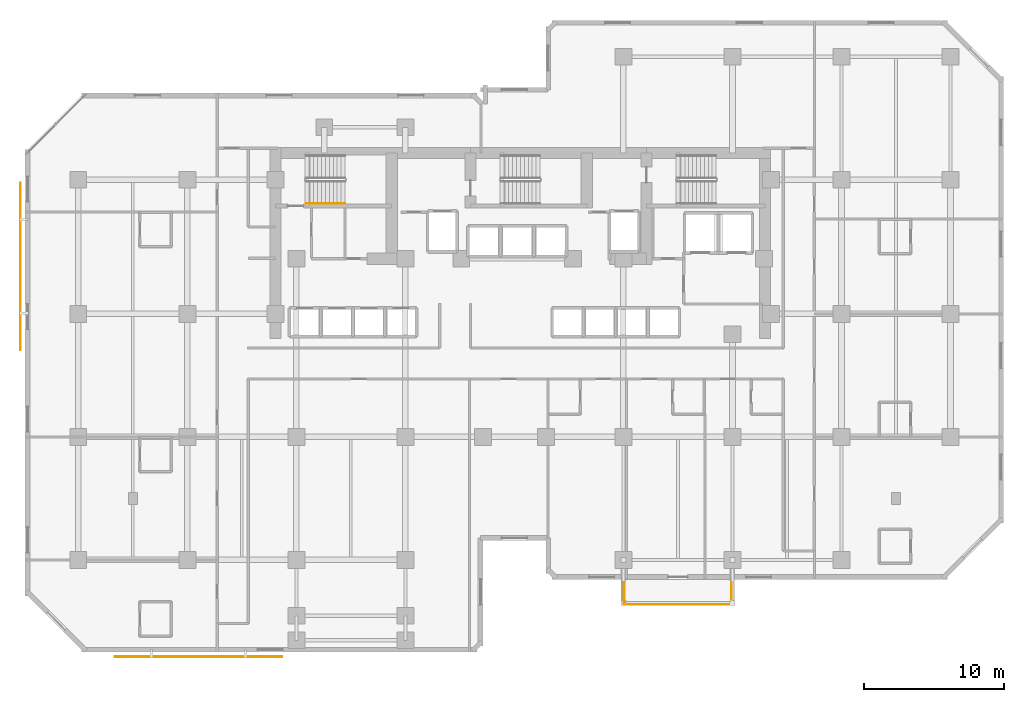
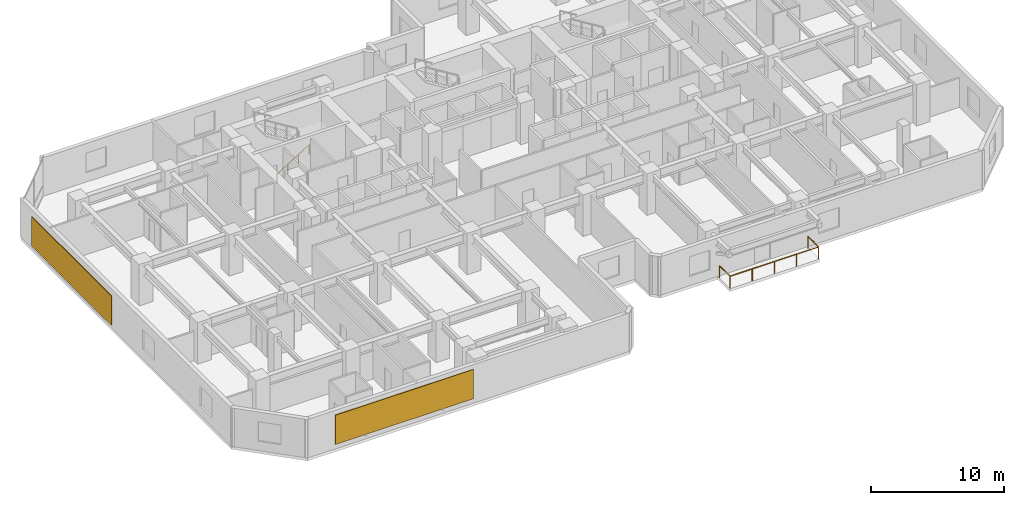
# One storey, part 11 of 12: 3 railings, 2 shading devices.
"""IFC4 building model written with IfcOpenShell, lengths in metres."""

from ifc_helpers import new_model, si_unit, direction, frame, origin, origin_2d, place, context, subcontext, project, spatial, rectangle, circle, extrude, material, layer, layer_set, type_object, element, save


model = new_model("IFC4")

# Units and contexts
model_context = context("Model", 3, precision=1e-05, world=origin(), true_north=direction((0.0, 1.0)))
body_context = subcontext(model_context, "Body", "Model", "MODEL_VIEW")
ifc_project = project(units=[si_unit("LENGTHUNIT", "METRE"), si_unit("AREAUNIT", "SQUARE_METRE"), si_unit("VOLUMEUNIT", "CUBIC_METRE"), si_unit("PLANEANGLEUNIT", "RADIAN"), si_unit("MASSUNIT", "GRAM", prefix="KILO")], contexts=[model_context])

# Site, building, storey
site_placement = place(None, origin())
site = spatial("IfcSite", under=ifc_project, at=site_placement, CompositionType="ELEMENT")
building_placement = place(site_placement, origin())
building = spatial("IfcBuilding", under=site, at=building_placement, Name="Kestravale Grand Hotel", CompositionType="ELEMENT")
storey_placement = place(building_placement, frame((0.0, 0.0, 118.39990234375)))
storey = spatial("IfcBuildingStorey", under=building, at=storey_placement, Name="L29", CompositionType="ELEMENT", Elevation=118.39990234375)

# Railings
ifc_material_1 = material(Name="Champagne-bronze stainless steel and laminated glass guard", Category="steel")
railing_type_1 = type_object("IfcRailingType", Name="RL-EXT-1100", PredefinedType="GUARDRAIL", material=ifc_material_1)
railing_1_placement = place(storey_placement, frame((46.860107421875, 8.010009765625, 0.0)))
element("IfcRailing", 1, at=railing_1_placement, inside=storey, type_object=railing_type_1, Name="L29 outdoor terrace guard 1", PredefinedType="GUARDRAIL", context=body_context, shape_type="SweptSolid", body=[
    extrude(circle(Radius=0.02392578125, at=origin_2d()), frame((0.0, 0.0, 1.09619140625), z_axis=(0.0, 1.0, 0.0), x_axis=(-1.0, 0.0, 0.0)), (0.0, 0.0, 1.0), 1.570068359375),
    extrude(circle(Radius=0.02099609375, at=origin_2d()), origin(), (0.0, 0.0, 1.0), 1.072021484375),
    extrude(circle(Radius=0.02099609375, at=origin_2d()), frame((0.0, 1.570068359375, 0.0)), (0.0, 0.0, 1.0), 1.072021484375),
])
railing_2_placement = place(storey_placement, frame((54.5400390625, 9.580078125, 0.0)))
element("IfcRailing", 2, at=railing_2_placement, inside=storey, type_object=railing_type_1, Name="L29 outdoor terrace guard 2", PredefinedType="GUARDRAIL", context=body_context, shape_type="SweptSolid", body=[
    extrude(circle(Radius=0.02392578125, at=origin_2d()), frame((0.0, 0.0, 1.09619140625), z_axis=(0.0, -1.0, 0.0), x_axis=(1.0, 0.0, 0.0)), (0.0, 0.0, 1.0), 1.570068359375),
    extrude(circle(Radius=0.02392578125, at=origin_2d()), frame((0.0, -1.570068359375, 1.09619140625), z_axis=(-1.0, 0.0, 0.0), x_axis=(0.0, -1.0, 0.0)), (0.0, 0.0, 1.0), 7.679931640625),
    extrude(circle(Radius=0.02099609375, at=origin_2d()), origin(), (0.0, 0.0, 1.0), 1.072021484375),
    extrude(circle(Radius=0.02099609375, at=origin_2d()), frame((0.0, -1.570068359375, 0.0)), (0.0, 0.0, 1.0), 1.072021484375),
    extrude(circle(Radius=0.02099609375, at=origin_2d()), frame((-1.919921875, -1.570068359375, 0.0)), (0.0, 0.0, 1.0), 1.072021484375),
    extrude(circle(Radius=0.02099609375, at=origin_2d()), frame((-3.83984375, -1.570068359375, 0.0)), (0.0, 0.0, 1.0), 1.072021484375),
    extrude(circle(Radius=0.02099609375, at=origin_2d()), frame((-5.760009765625, -1.570068359375, 0.0)), (0.0, 0.0, 1.0), 1.072021484375),
    extrude(circle(Radius=0.02099609375, at=origin_2d()), frame((-7.679931640625, -1.570068359375, 0.0)), (0.0, 0.0, 1.0), 1.072021484375),
])
ifc_material_2 = material(Name="Brushed stainless steel wall handrail", Category="steel")
railing_type_2 = type_object("IfcRailingType", Name="RL-ST-HND900", PredefinedType="HANDRAIL", material=ifc_material_2)
railing_3_placement = place(storey_placement, frame((24.080078125, 36.699951171875, 0.1728515625)))
element("IfcRailing", 3, at=railing_3_placement, inside=storey, type_object=railing_type_2, Name="L29 ST-1 stair handrail 1", PredefinedType="HANDRAIL", context=body_context, shape_type="SweptSolid", body=[
    extrude(circle(Radius=0.02392578125, at=origin_2d()), frame((0.0, 0.0, 0.8759765625), z_axis=(0.851069175582, 0.0, 0.525053576669), x_axis=(0.0, 1.0, 0.0)), (0.0, 0.0, 1.0), 3.289794921875),
    extrude(circle(Radius=0.02099609375, at=origin_2d()), origin(), (0.0, 0.0, 1.0), 0.851806640625),
    extrude(circle(Radius=0.02099609375, at=origin_2d()), frame((0.933349609375, 0.0, 0.57568359375)), (0.0, 0.0, 1.0), 0.851806640625),
    extrude(circle(Radius=0.02099609375, at=origin_2d()), frame((1.866455078125, 0.0, 1.151611328125)), (0.0, 0.0, 1.0), 0.851806640625),
    extrude(circle(Radius=0.02099609375, at=origin_2d()), frame((2.7998046875, 0.0, 1.727294921875)), (0.0, 0.0, 1.0), 0.851806640625),
])

# Shading devices
ifc_material_3 = material(Name="Perforated champagne-bronze aluminium and ceramic solar screen", Category="aluminium")
ifc_layer = layer(ifc_material_3, 0.06494140625)
ifc_layer_set = layer_set([ifc_layer], Name="SHD-SCR-CHEV")
shading_device_type = type_object("IfcShadingDeviceType", Name="SHD-SCR-CHEV", PredefinedType="USERDEFINED", material=ifc_layer_set)
for number, where, z_axis, x_axis, name in (
    (4, (16.39990234375, 4.260009765625, 0.7001953125), (0.0, 0.0, 1.0), (1.0, 0.0, 0.0), "L29 Perforated bronze ceramic chevron solar screen SCR-L29-01"),
    (5, (3.659912109375, 32.199951171875, 0.7001953125), (0.0, 0.0, 1.0), (0.0, -1.0, 0.0), "L29 Perforated bronze ceramic chevron solar screen SCR-L29-19"),
):
    element("IfcShadingDevice", number, at=place(storey_placement, frame(where, z_axis=z_axis, x_axis=x_axis)), inside=storey, type_object=shading_device_type, Name=name, ObjectType="SCREEN", PredefinedType="USERDEFINED", context=body_context, shape_type="SweptSolid", body=[
        extrude(rectangle(XDim=12.0, YDim=0.06494140625, at=origin_2d()), origin(), (0.0, 0.0, 1.0), 2.68994140625),
    ])

save(model, "model.ifc")
